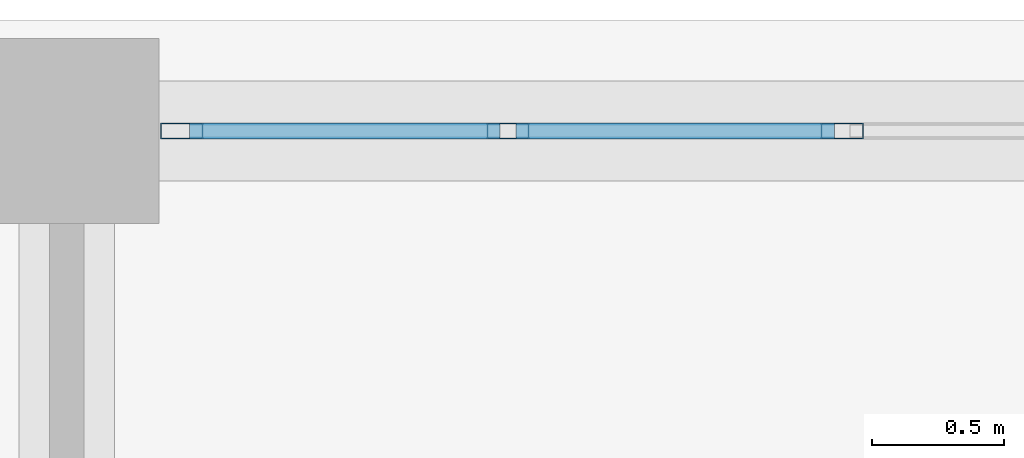
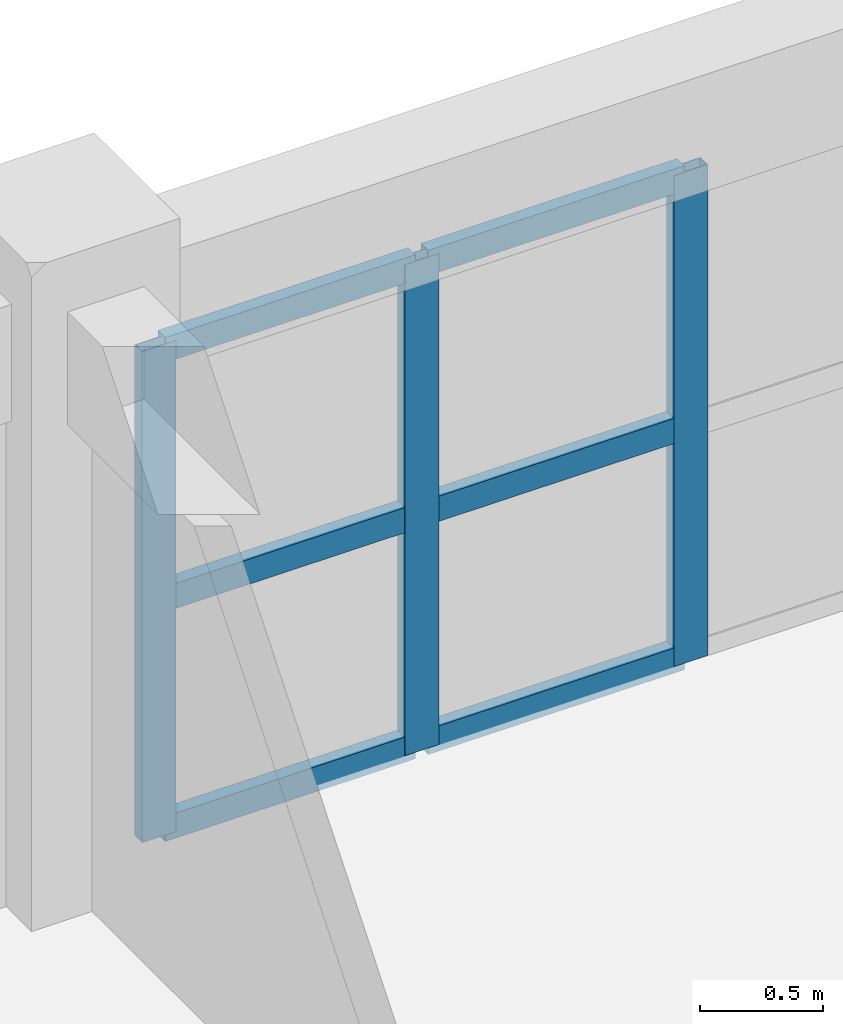
# One storey, part 84 of 148: 9 members, 1 element without a shape of its own.
"""IFC4 building model written with IfcOpenShell, lengths in metres."""

from ifc_helpers import new_model, si_unit, direction, frame, origin, origin_2d, place, context, subcontext, project, spatial, hollow_rectangle, extrude, material, layer, layer_set, material_profile, profile_set, type_object, element, aggregate, save


model = new_model("IFC4")

# Units and contexts
model_context = context("Model", 3, precision=1e-05, world=origin(), true_north=direction((0.0, 1.0)))
body_context = subcontext(model_context, "Body", "Model", "MODEL_VIEW")
ifc_project = project(units=[si_unit("LENGTHUNIT", "METRE"), si_unit("AREAUNIT", "SQUARE_METRE"), si_unit("VOLUMEUNIT", "CUBIC_METRE"), si_unit("PLANEANGLEUNIT", "RADIAN"), si_unit("MASSUNIT", "GRAM", prefix="KILO")], contexts=[model_context])

# Site, building, storey
site_placement = place(None, origin())
site = spatial("IfcSite", under=ifc_project, at=site_placement, CompositionType="ELEMENT")
building_placement = place(site_placement, origin())
building = spatial("IfcBuilding", under=site, at=building_placement, Name="Trelvath General Hospital", CompositionType="ELEMENT")
storey_placement = place(building_placement, frame((0.0, 0.0, 12.89990234375)))
storey = spatial("IfcBuildingStorey", under=building, at=storey_placement, Name="L03", CompositionType="ELEMENT", Elevation=12.89990234375)

# Curtain wall, members
ifc_material_1 = material(Name="Anodised aluminium and low-E glass", Category="aluminium")
ifc_layer = layer(ifc_material_1, 0.159912109375)
ifc_layer_set = layer_set([ifc_layer], Name="Anodised aluminium and low-E glass")
curtain_wall_type = type_object("IfcCurtainWallType", Name="CW Facade 759 244 16", PredefinedType="USERDEFINED", material=ifc_layer_set)
curtain_wall_placement = place(storey_placement, origin())
curtain_wall = element("IfcCurtainWall", 1, at=curtain_wall_placement, inside=storey, type_object=curtain_wall_type, Name="Facade Curtain Wall CW-061", ObjectType="Unitised Glazed Curtain Wall", PredefinedType="USERDEFINED")
ifc_material_2 = material(Name="Anodised aluminium", Category="aluminium")
ifc_material_profile_1 = material_profile(ifc_material_2, hollow_rectangle(XDim=0.06005859375, YDim=0.159912109375, WallThickness=0.00390625, at=origin_2d()), Name="RHS60x160x4")
ifc_profile_set_1 = profile_set([ifc_material_profile_1], Name="Anodised aluminium")
member_type_1 = type_object("IfcMemberType", Name="CurtainMullion 60x160", PredefinedType="MULLION", material=ifc_profile_set_1)
member_1_placement = place(storey_placement, frame((92.8349609375, 117.60009765625, 0.0), z_axis=(0.0, 0.0, 1.0), x_axis=(0.0, 1.0, 0.0)))
member_1 = element("IfcMember", 2, at=member_1_placement, type_object=member_type_1, Name="CW-061 mullion 1", PredefinedType="MULLION", context=body_context, shape_type="SweptSolid", body=[
    extrude(hollow_rectangle(XDim=0.06005859375, YDim=0.159912109375, WallThickness=0.00390625, at=origin_2d()), origin(), (0.0, 0.0, 1.0), 2.440185546875),
])
member_2_placement = place(storey_placement, frame((94.070068359375, 117.60009765625, 0.0), z_axis=(0.0, 0.0, 1.0), x_axis=(0.0, 1.0, 0.0)))
member_2 = element("IfcMember", 3, at=member_2_placement, type_object=member_type_1, Name="CW-061 mullion 2", PredefinedType="MULLION", context=body_context, shape_type="SweptSolid", body=[
    extrude(hollow_rectangle(XDim=0.06005859375, YDim=0.159912109375, WallThickness=0.00390625, at=origin_2d()), origin(), (0.0, 0.0, 1.0), 2.440185546875),
])
member_3_placement = place(storey_placement, frame((95.3349609375, 117.60009765625, 0.0), z_axis=(0.0, 0.0, 1.0), x_axis=(0.0, 1.0, 0.0)))
member_3 = element("IfcMember", 4, at=member_3_placement, type_object=member_type_1, Name="CW-061 mullion 3", PredefinedType="MULLION", context=body_context, shape_type="SweptSolid", body=[
    extrude(hollow_rectangle(XDim=0.06005859375, YDim=0.159912109375, WallThickness=0.00390625, at=origin_2d()), origin(), (0.0, 0.0, 1.0), 2.440185546875),
])
ifc_material_3 = material(Name="Anodised aluminium", Category="aluminium")
ifc_material_profile_2 = material_profile(ifc_material_3, hollow_rectangle(XDim=0.06005859375, YDim=0.125, WallThickness=0.00390625, at=origin_2d()), Name="RHS60x125x4")
ifc_profile_set_2 = profile_set([ifc_material_profile_2], Name="Anodised aluminium")
member_type_2 = type_object("IfcMemberType", Name="CurtainTransom 60x125", PredefinedType="USERDEFINED", material=ifc_profile_set_2)
member_4_placement = place(storey_placement, frame((92.864990234375, 117.60009765625, 0.030029296875), z_axis=(1.0, 0.0, 0.0), x_axis=(0.0, 1.0, 0.0)))
member_4 = element("IfcMember", 5, at=member_4_placement, type_object=member_type_2, Name="CW-061 transom 1.1", ObjectType="TRANSOM", PredefinedType="USERDEFINED", context=body_context, shape_type="SweptSolid", body=[
    extrude(hollow_rectangle(XDim=0.06005859375, YDim=0.125, WallThickness=0.00390625, at=origin_2d()), origin(), (0.0, 0.0, 1.0), 1.175048828125),
])
member_5_placement = place(storey_placement, frame((92.864990234375, 117.60009765625, 1.171142578125), z_axis=(1.0, 0.0, 0.0), x_axis=(0.0, 1.0, 0.0)))
member_5 = element("IfcMember", 6, at=member_5_placement, type_object=member_type_2, Name="CW-061 transom 1.2", ObjectType="TRANSOM", PredefinedType="USERDEFINED", context=body_context, shape_type="SweptSolid", body=[
    extrude(hollow_rectangle(XDim=0.06005859375, YDim=0.125, WallThickness=0.00390625, at=origin_2d()), origin(), (0.0, 0.0, 1.0), 1.175048828125),
])
member_6_placement = place(storey_placement, frame((92.864990234375, 117.60009765625, 2.41015625), z_axis=(1.0, 0.0, 0.0), x_axis=(0.0, 1.0, 0.0)))
member_6 = element("IfcMember", 7, at=member_6_placement, type_object=member_type_2, Name="CW-061 transom 1.3", ObjectType="TRANSOM", PredefinedType="USERDEFINED", context=body_context, shape_type="SweptSolid", body=[
    extrude(hollow_rectangle(XDim=0.06005859375, YDim=0.125, WallThickness=0.00390625, at=origin_2d()), origin(), (0.0, 0.0, 1.0), 1.175048828125),
])
member_7_placement = place(storey_placement, frame((94.10009765625, 117.60009765625, 0.030029296875), z_axis=(1.0, 0.0, 0.0), x_axis=(0.0, 1.0, 0.0)))
member_7 = element("IfcMember", 8, at=member_7_placement, type_object=member_type_2, Name="CW-061 transom 2.1", ObjectType="TRANSOM", PredefinedType="USERDEFINED", context=body_context, shape_type="SweptSolid", body=[
    extrude(hollow_rectangle(XDim=0.06005859375, YDim=0.125, WallThickness=0.00390625, at=origin_2d()), origin(), (0.0, 0.0, 1.0), 1.204833984375),
])
member_8_placement = place(storey_placement, frame((94.10009765625, 117.60009765625, 1.171142578125), z_axis=(1.0, 0.0, 0.0), x_axis=(0.0, 1.0, 0.0)))
member_8 = element("IfcMember", 9, at=member_8_placement, type_object=member_type_2, Name="CW-061 transom 2.2", ObjectType="TRANSOM", PredefinedType="USERDEFINED", context=body_context, shape_type="SweptSolid", body=[
    extrude(hollow_rectangle(XDim=0.06005859375, YDim=0.125, WallThickness=0.00390625, at=origin_2d()), origin(), (0.0, 0.0, 1.0), 1.204833984375),
])
member_9_placement = place(storey_placement, frame((94.10009765625, 117.60009765625, 2.41015625), z_axis=(1.0, 0.0, 0.0), x_axis=(0.0, 1.0, 0.0)))
member_9 = element("IfcMember", 10, at=member_9_placement, type_object=member_type_2, Name="CW-061 transom 2.3", ObjectType="TRANSOM", PredefinedType="USERDEFINED", context=body_context, shape_type="SweptSolid", body=[
    extrude(hollow_rectangle(XDim=0.06005859375, YDim=0.125, WallThickness=0.00390625, at=origin_2d()), origin(), (0.0, 0.0, 1.0), 1.204833984375),
])
aggregate(curtain_wall, [member_1, member_2, member_3, member_4, member_5, member_6, member_7, member_8, member_9])

save(model, "model.ifc")
